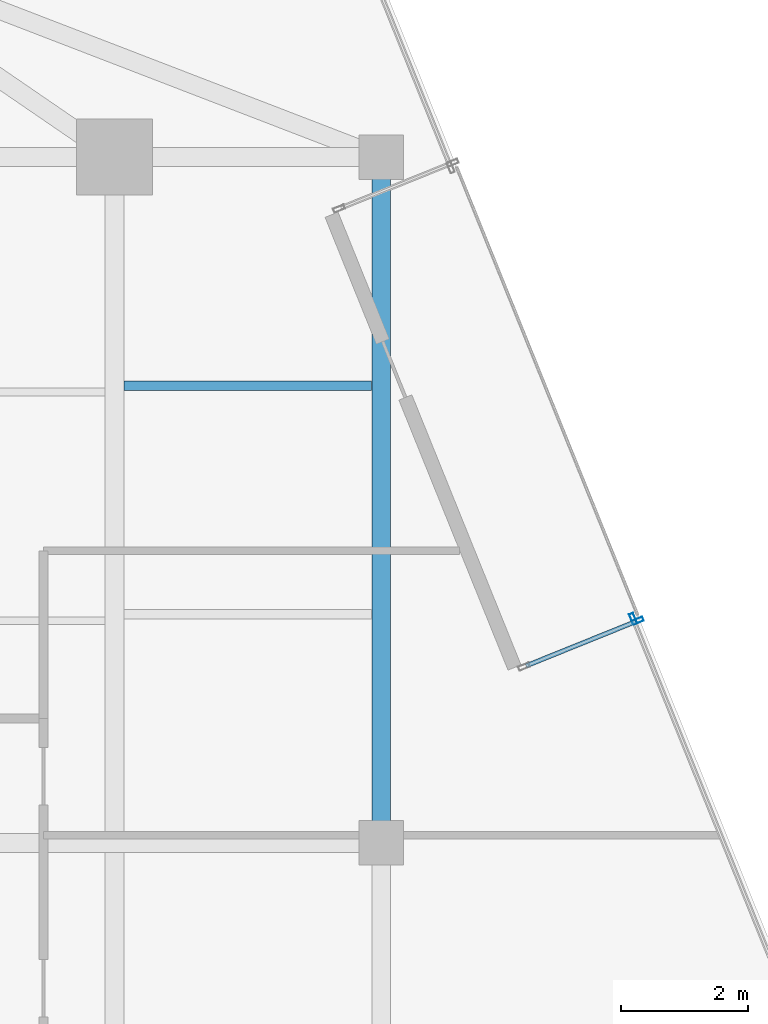
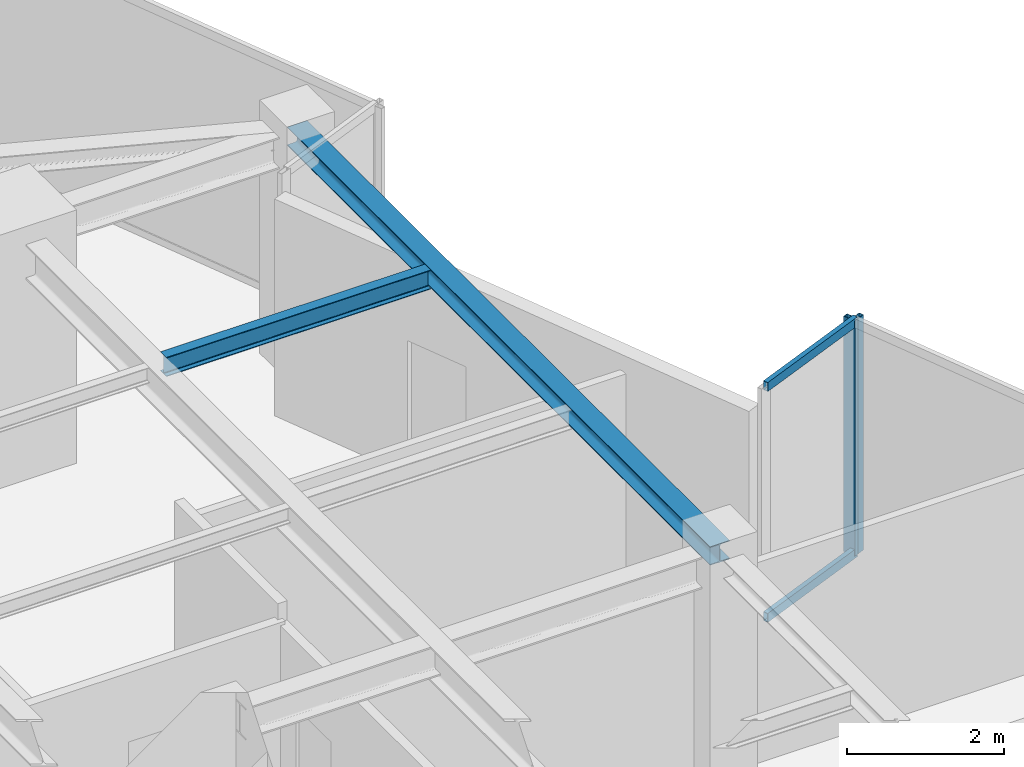
# One storey, part 12 of 21: 4 members, 2 beams, 2 elements without a shape of their own.
"""IFC4 building model written with IfcOpenShell, lengths in metres."""

from ifc_helpers import new_model, si_unit, direction, frame, origin, origin_2d, place, context, subcontext, project, spatial, hollow_rectangle, i_section, extrude, source, transform, mapped, material, material_profile, profile_set, type_object, type_shapes, element, aggregate, save


model = new_model("IFC4")

# Units and contexts
model_context = context("Model", 3, precision=1e-05, world=origin(), true_north=direction((0.0, 1.0)))
body_context = subcontext(model_context, "Body", "Model", "MODEL_VIEW")
ifc_project = project(units=[si_unit("LENGTHUNIT", "METRE"), si_unit("AREAUNIT", "SQUARE_METRE"), si_unit("VOLUMEUNIT", "CUBIC_METRE"), si_unit("PLANEANGLEUNIT", "RADIAN"), si_unit("MASSUNIT", "GRAM", prefix="KILO")], contexts=[model_context])

# Site, building, storey
site_placement = place(None, origin())
site = spatial("IfcSite", under=ifc_project, at=site_placement, CompositionType="ELEMENT")
building_placement = place(site_placement, origin())
building = spatial("IfcBuilding", under=site, at=building_placement, Name="Krantzveldt Concourse Tower", CompositionType="ELEMENT")
storey_placement = place(building_placement, frame((0.0, 0.0, 327.699951171875)))
storey = spatial("IfcBuildingStorey", under=building, at=storey_placement, Name="L80", CompositionType="ELEMENT", Elevation=327.699951171875)

# Beams
ifc_material_1 = material(Name="Steel S355JR", Category="steel")
ifc_material_profile_1 = material_profile(ifc_material_1, i_section(OverallWidth=0.2900390625, OverallDepth=0.2900390625, WebThickness=0.008544921875, FlangeThickness=0.013916015625, FilletRadius=0.027099609375, at=origin_2d()), Name="Steel S355JR", Category="steel")
ifc_profile_set_1 = profile_set([ifc_material_profile_1], Name="Steel S355JR - HEA 300")
beam_type_1 = type_object("IfcBeamType", Name="BM-SP-HEA300", PredefinedType="SPANDREL", material=ifc_profile_set_1)
shared_shape_1 = source(origin(), body_context, "Body", "SweptSolid", [
    extrude(i_section(OverallWidth=0.2900390625, OverallDepth=0.2900390625, WebThickness=0.008544921875, FlangeThickness=0.013916015625, FilletRadius=0.027099609375, at=origin_2d()), origin(), (0.0, 0.0, 1.0), 10.800048828125),
])
type_shapes(beam_type_1, [shared_shape_1])
beam_1_placement = place(storey_placement, frame((51.0, 37.5, 3.525146484375), z_axis=(0.0, -1.0, 0.0), x_axis=(1.0, 0.0, 0.0)))
element("IfcBeam", 1, at=beam_1_placement, inside=storey, type_object=beam_type_1, Name="L80 Tower Girder SP-R06", PredefinedType="SPANDREL", context=body_context, shape_type="MappedRepresentation", body=[
    mapped(shared_shape_1, transform((0.0, 0.0, 0.0), x_axis=(1.0, 0.0, 0.0), y_axis=(0.0, 1.0, 0.0), z_axis=(0.0, 0.0, 1.0), scale=1.0)),
])
ifc_material_profile_2 = material_profile(ifc_material_1, i_section(OverallWidth=0.14990234375, OverallDepth=0.300048828125, WebThickness=0.007080078125, FlangeThickness=0.0107421875, FilletRadius=0.014892578125, at=origin_2d()), Name="Steel S355JR", Category="steel")
ifc_profile_set_2 = profile_set([ifc_material_profile_2], Name="Steel S355JR - IPE 300")
beam_type_2 = type_object("IfcBeamType", Name="BM-J-IPE300", PredefinedType="JOIST", material=ifc_profile_set_2)
shared_shape_2 = source(origin(), body_context, "Body", "SweptSolid", [
    extrude(i_section(OverallWidth=0.14990234375, OverallDepth=0.300048828125, WebThickness=0.007080078125, FlangeThickness=0.0107421875, FilletRadius=0.014892578125, at=origin_2d()), origin(), (0.0, 0.0, 1.0), 3.900146484375),
])
type_shapes(beam_type_2, [shared_shape_2])
beam_2_placement = place(storey_placement, frame((46.949951171875, 33.89990234375, 3.52001953125), z_axis=(1.0, 0.0, 0.0), x_axis=(0.0, 1.0, 0.0)))
element("IfcBeam", 2, at=beam_2_placement, inside=storey, type_object=beam_type_2, Name="L80 Secondary Floor Joist JE-4", PredefinedType="JOIST", context=body_context, shape_type="MappedRepresentation", body=[
    mapped(shared_shape_2, transform((0.0, 0.0, 0.0), x_axis=(1.0, 0.0, 0.0), y_axis=(0.0, 1.0, 0.0), z_axis=(0.0, 0.0, 1.0), scale=1.0)),
])

# Curtain wall, member
ifc_material_2 = material(Name="Anodised aluminium 6063-T6", Category="aluminium")
curtain_wall_type_1 = type_object("IfcCurtainWallType", Name="CW4", PredefinedType="USERDEFINED", material=ifc_material_2)
curtain_wall_1_placement = place(storey_placement, origin())
curtain_wall_1 = element("IfcCurtainWall", 3, at=curtain_wall_1_placement, inside=storey, type_object=curtain_wall_type_1, Name="CW-L80-F10", ObjectType="UNITISED CURTAIN WALL", PredefinedType="USERDEFINED")
ifc_material_profile_3 = material_profile(ifc_material_2, hollow_rectangle(XDim=0.070068359375, YDim=0.179931640625, WallThickness=0.0048828125, at=origin_2d()), Name="Anodised aluminium 6063-T6", Category="aluminium")
ifc_profile_set_3 = profile_set([ifc_material_profile_3], Name="Anodised aluminium 6063-T6 - ALU-MULL 180x70x5")
member_type_1 = type_object("IfcMemberType", Name="CW-MUL-180", PredefinedType="MULLION", material=ifc_profile_set_3)
shared_shape_3 = source(origin(), body_context, "Body", "SweptSolid", [
    extrude(hollow_rectangle(XDim=0.070068359375, YDim=0.179931640625, WallThickness=0.0048828125, at=origin_2d()), origin(), (0.0, 0.0, 1.0), 3.670166015625),
])
type_shapes(member_type_1, [shared_shape_3])
member_1_placement = place(storey_placement, frame((54.9697265625, 30.22802734375, 0.0), z_axis=(0.0, 0.0, 1.0), x_axis=(-0.927184046879, -0.374606117426, 0.0)))
member_1 = element("IfcMember", 4, at=member_1_placement, type_object=member_type_1, Name="CW-Z56 mullion 2", PredefinedType="MULLION", context=body_context, shape_type="MappedRepresentation", body=[
    mapped(shared_shape_3, transform((0.0, 0.0, 0.0), x_axis=(1.0, 0.0, 0.0), y_axis=(0.0, 1.0, 0.0), z_axis=(0.0, 0.0, 1.0), scale=1.0)),
])
aggregate(curtain_wall_1, [member_1])

# Curtain wall, members
curtain_wall_type_2 = type_object("IfcCurtainWallType", Name="CW6", PredefinedType="USERDEFINED", material=ifc_material_2)
curtain_wall_2_placement = place(storey_placement, origin())
curtain_wall_2 = element("IfcCurtainWall", 5, at=curtain_wall_2_placement, inside=storey, type_object=curtain_wall_type_2, Name="CW-L80-TR11", ObjectType="UNITISED CURTAIN WALL", PredefinedType="USERDEFINED")
member_2_placement = place(storey_placement, frame((55.041259765625, 30.19775390625, 0.0), z_axis=(0.0, 0.0, 1.0), x_axis=(0.374609124101, -0.9271828321, 0.0)))
member_2 = element("IfcMember", 6, at=member_2_placement, type_object=member_type_1, Name="CW-TERR mullion 1", PredefinedType="MULLION", context=body_context, shape_type="MappedRepresentation", body=[
    mapped(shared_shape_3, transform((0.0, 0.0, 0.0), x_axis=(1.0, 0.0, 0.0), y_axis=(0.0, 1.0, 0.0), z_axis=(0.0, 0.0, 1.0), scale=1.0)),
])
ifc_material_profile_4 = material_profile(ifc_material_2, hollow_rectangle(XDim=0.070068359375, YDim=0.139892578125, WallThickness=0.0048828125, at=origin_2d()), Name="Anodised aluminium 6063-T6", Category="aluminium")
ifc_profile_set_4 = profile_set([ifc_material_profile_4], Name="Anodised aluminium 6063-T6 - ALU-TRAN 140x70x5")
member_type_2 = type_object("IfcMemberType", Name="CW-TRN-150", PredefinedType="USERDEFINED", material=ifc_profile_set_4)
shared_shape_4 = source(origin(), body_context, "Body", "SweptSolid", [
    extrude(hollow_rectangle(XDim=0.070068359375, YDim=0.139892578125, WallThickness=0.0048828125, at=origin_2d()), origin(), (0.0, 0.0, 1.0), 1.860107421875),
])
type_shapes(member_type_2, [shared_shape_4])
member_3_placement = place(storey_placement, frame((55.0087890625, 30.1845703125, 0.03515625), z_axis=(-0.927185735513, -0.374601937876, 0.0), x_axis=(0.374601937876, -0.927185735513, 0.0)))
member_3 = element("IfcMember", 7, at=member_3_placement, type_object=member_type_2, Name="CW-TERR transom 1.1", ObjectType="TRANSOM", PredefinedType="USERDEFINED", context=body_context, shape_type="MappedRepresentation", body=[
    mapped(shared_shape_4, transform((0.0, 0.0, 0.0), x_axis=(1.0, 0.0, 0.0), y_axis=(0.0, 1.0, 0.0), z_axis=(0.0, 0.0, 1.0), scale=1.0)),
])
member_4_placement = place(storey_placement, frame((55.0087890625, 30.1845703125, 3.635009765625), z_axis=(-0.927185735513, -0.374601937876, 0.0), x_axis=(0.374601937876, -0.927185735513, 0.0)))
member_4 = element("IfcMember", 8, at=member_4_placement, type_object=member_type_2, Name="CW-TERR transom 1.2", ObjectType="TRANSOM", PredefinedType="USERDEFINED", context=body_context, shape_type="MappedRepresentation", body=[
    mapped(shared_shape_4, transform((0.0, 0.0, 0.0), x_axis=(1.0, 0.0, 0.0), y_axis=(0.0, 1.0, 0.0), z_axis=(0.0, 0.0, 1.0), scale=1.0)),
])
aggregate(curtain_wall_2, [member_2, member_3, member_4])

save(model, "model.ifc")
